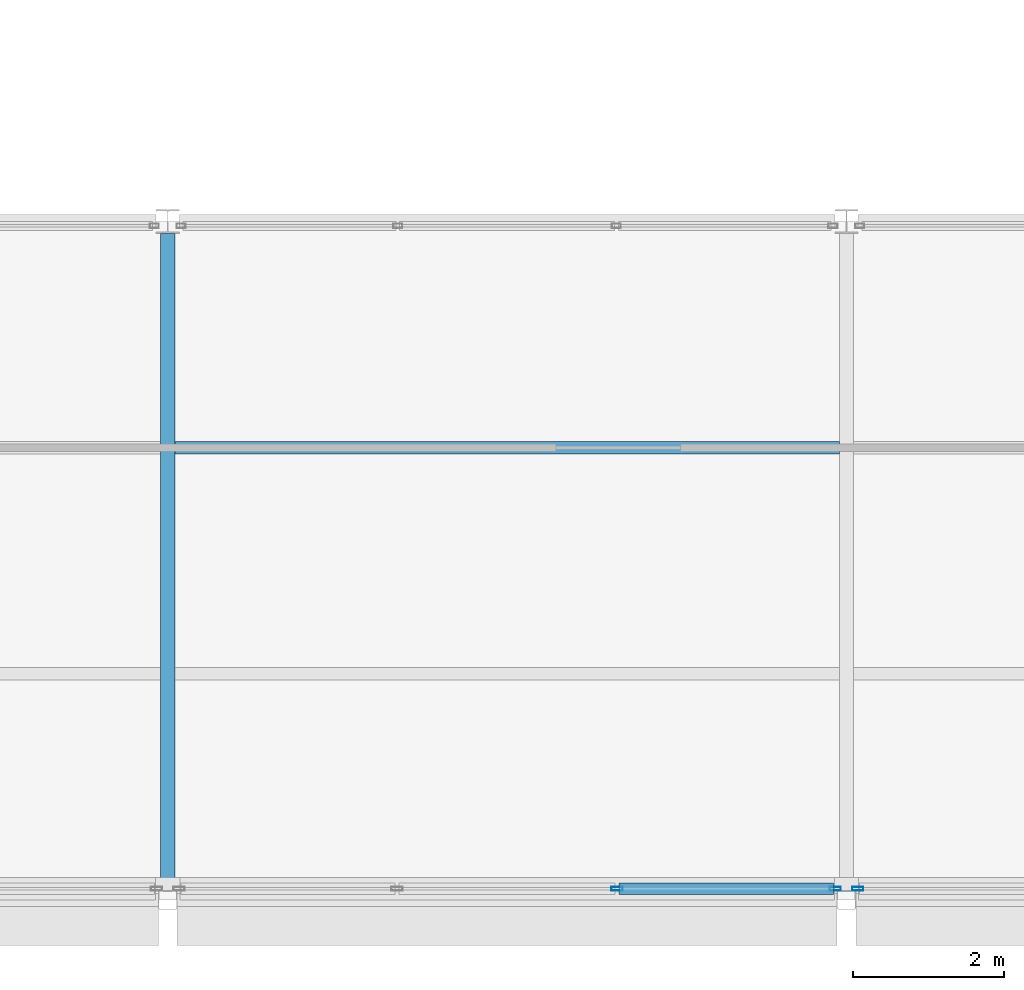
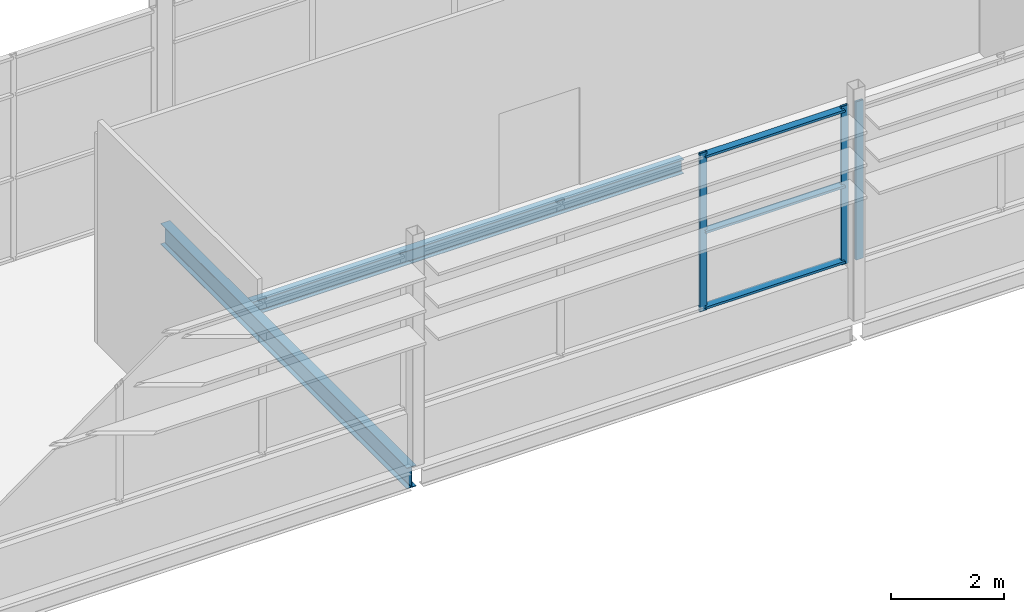
# One storey, part 13 of 61: 6 members, 2 beams, 2 elements without a shape of their own.
"""IFC4 building model written with IfcOpenShell, lengths in metres."""

from ifc_helpers import new_model, si_unit, direction, frame, origin, origin_2d, place, context, subcontext, project, spatial, hollow_rectangle, i_section, extrude, material, layer, layer_set, material_profile, profile_set, type_object, element, aggregate, save


model = new_model("IFC4")

# Units and contexts
model_context = context("Model", 3, precision=1e-05, world=origin(), true_north=direction((0.0, 1.0)))
body_context = subcontext(model_context, "Body", "Model", "MODEL_VIEW")
ifc_project = project(units=[si_unit("LENGTHUNIT", "METRE"), si_unit("AREAUNIT", "SQUARE_METRE"), si_unit("VOLUMEUNIT", "CUBIC_METRE"), si_unit("PLANEANGLEUNIT", "RADIAN"), si_unit("MASSUNIT", "GRAM", prefix="KILO")], contexts=[model_context])

# Site, building, storey
site_placement = place(None, origin())
site = spatial("IfcSite", under=ifc_project, at=site_placement, CompositionType="ELEMENT")
building_placement = place(site_placement, origin())
building = spatial("IfcBuilding", under=site, at=building_placement, Name="Shorebreak Coast Museum", CompositionType="ELEMENT")
storey_placement = place(building_placement, frame((0.0, 0.0, 26.0)))
storey = spatial("IfcBuildingStorey", under=building, at=storey_placement, Name="L04", CompositionType="ELEMENT", Elevation=26.0)

# Beams
ifc_material_1 = material(Name="Steel Grade 300", Category="steel")
ifc_material_profile_1 = material_profile(ifc_material_1, i_section(OverallWidth=0.18994140625, OverallDepth=0.453857421875, WebThickness=0.008544921875, FlangeThickness=0.0126953125, FilletRadius=0.011474609375, at=origin_2d()), Name="460UB67.1")
ifc_profile_set_1 = profile_set([ifc_material_profile_1], Name="Steel Grade 300")
beam_type_1 = type_object("IfcBeamType", Name="Floor girder north-south 460UB67.1", PredefinedType="BEAM", material=ifc_profile_set_1)
beam_1_placement = place(storey_placement, frame((72.0, 54.125, -0.40185546875), z_axis=(0.0, 1.0, 0.0), x_axis=(-1.0, 0.0, 0.0)))
element("IfcBeam", 1, at=beam_1_placement, inside=storey, type_object=beam_type_1, Name="Floor girder north-south L04 9G", PredefinedType="BEAM", context=body_context, shape_type="SweptSolid", body=[
    extrude(i_section(OverallWidth=0.18994140625, OverallDepth=0.453857421875, WebThickness=0.008544921875, FlangeThickness=0.0126953125, FilletRadius=0.011474609375, at=origin_2d()), origin(), (0.0, 0.0, 1.0), 8.714599609375),
])
ifc_material_2 = material(Name="Steel Grade 300", Category="steel")
ifc_material_profile_2 = material_profile(ifc_material_2, i_section(OverallWidth=0.1650390625, OverallDepth=0.303955078125, WebThickness=0.006103515625, FlangeThickness=0.01025390625, FilletRadius=0.011474609375, at=origin_2d()), Name="310UB40.4")
ifc_profile_set_2 = profile_set([ifc_material_profile_2], Name="Steel Grade 300")
beam_type_2 = type_object("IfcBeamType", Name="Floor joist 310UB40.4", PredefinedType="JOIST", material=ifc_profile_set_2)
beam_2_placement = place(storey_placement, frame((72.094970703125, 60.0, -0.326904296875), z_axis=(1.0, 0.0, 0.0), x_axis=(0.0, 1.0, 0.0)))
element("IfcBeam", 2, at=beam_2_placement, inside=storey, type_object=beam_type_2, Name="Floor joist L04 bay 9G at 6000 mm", PredefinedType="JOIST", context=body_context, shape_type="SweptSolid", body=[
    extrude(i_section(OverallWidth=0.1650390625, OverallDepth=0.303955078125, WebThickness=0.006103515625, FlangeThickness=0.01025390625, FilletRadius=0.011474609375, at=origin_2d()), origin(), (0.0, 0.0, 1.0), 8.81005859375),
])

# Curtain wall, members
ifc_material_3 = material(Name="Aluminium", Category="aluminium")
ifc_layer = layer(ifc_material_3, 0.14990234375)
ifc_layer_set = layer_set([ifc_layer], Name="Aluminium")
curtain_wall_type = type_object("IfcCurtainWallType", Name="Storefront curtain wall", PredefinedType="NOTDEFINED", material=ifc_layer_set)
curtain_wall_1_placement = place(storey_placement, origin())
curtain_wall_1 = element("IfcCurtainWall", 3, at=curtain_wall_1_placement, inside=storey, type_object=curtain_wall_type, Name="Atrium Hall glazing L04 S 5", PredefinedType="NOTDEFINED")
ifc_material_4 = material(Name="Aluminium", Category="aluminium")
ifc_material_profile_3 = material_profile(ifc_material_4, hollow_rectangle(XDim=0.050048828125, YDim=0.14990234375, WallThickness=0.00390625, at=origin_2d()), Name="AL 150x50 RHS")
ifc_profile_set_3 = profile_set([ifc_material_profile_3], Name="Aluminium")
member_type_1 = type_object("IfcMemberType", Name="Storefront mullion 50 x 150", PredefinedType="MULLION", material=ifc_profile_set_3)
member_1_placement = place(storey_placement, frame((77.958251953125, 54.14990234375, 1.10009765625), z_axis=(0.0, 0.0, 1.0), x_axis=(0.0, 1.0, 0.0)))
member_1 = element("IfcMember", 4, at=member_1_placement, type_object=member_type_1, Name="CW5 mullion 3", PredefinedType="MULLION", context=body_context, shape_type="SweptSolid", body=[
    extrude(hollow_rectangle(XDim=0.050048828125, YDim=0.14990234375, WallThickness=0.00390625, at=origin_2d()), origin(), (0.0, 0.0, 1.0), 3.417724609375),
])
member_2_placement = place(storey_placement, frame((80.85009765625, 54.14990234375, 1.10009765625), z_axis=(0.0, 0.0, 1.0), x_axis=(0.0, 1.0, 0.0)))
member_2 = element("IfcMember", 5, at=member_2_placement, type_object=member_type_1, Name="CW5 mullion 4", PredefinedType="MULLION", context=body_context, shape_type="SweptSolid", body=[
    extrude(hollow_rectangle(XDim=0.050048828125, YDim=0.14990234375, WallThickness=0.00390625, at=origin_2d()), origin(), (0.0, 0.0, 1.0), 3.417724609375),
])

# Curtain wall, member
curtain_wall_2_placement = place(storey_placement, origin())
curtain_wall_2 = element("IfcCurtainWall", 6, at=curtain_wall_2_placement, inside=storey, type_object=curtain_wall_type, Name="Atrium Hall glazing L04 S 6", PredefinedType="NOTDEFINED")
member_3_placement = place(storey_placement, frame((81.14990234375, 54.14990234375, 1.10009765625), z_axis=(0.0, 0.0, 1.0), x_axis=(0.0, 1.0, 0.0)))
member_3 = element("IfcMember", 7, at=member_3_placement, type_object=member_type_1, Name="CW5 mullion 1", PredefinedType="MULLION", context=body_context, shape_type="SweptSolid", body=[
    extrude(hollow_rectangle(XDim=0.050048828125, YDim=0.14990234375, WallThickness=0.00390625, at=origin_2d()), origin(), (0.0, 0.0, 1.0), 3.417724609375),
])
aggregate(curtain_wall_2, [member_3])

# Member
ifc_material_5 = material(Name="Aluminium", Category="aluminium")
ifc_material_profile_4 = material_profile(ifc_material_5, hollow_rectangle(XDim=0.14990234375, YDim=0.050048828125, WallThickness=0.00390625, at=origin_2d()), Name="AL 50x150 RHS")
ifc_profile_set_4 = profile_set([ifc_material_profile_4], Name="Aluminium")
member_type_2 = type_object("IfcMemberType", Name="Storefront transom 150 x 50", PredefinedType="USERDEFINED", material=ifc_profile_set_4)
member_4_placement = place(storey_placement, frame((77.9833984375, 54.14990234375, 1.175048828125), z_axis=(1.0, 0.0, 0.0), x_axis=(0.0, 1.0, 0.0)))
member_4 = element("IfcMember", 8, at=member_4_placement, type_object=member_type_2, Name="CW5 transom 3.1", ObjectType="TRANSOM", PredefinedType="USERDEFINED", context=body_context, shape_type="SweptSolid", body=[
    extrude(hollow_rectangle(XDim=0.14990234375, YDim=0.050048828125, WallThickness=0.00390625, at=origin_2d()), origin(), (0.0, 0.0, 1.0), 2.841552734375),
])

member_5_placement = place(storey_placement, frame((77.9833984375, 54.14990234375, 2.808837890625), z_axis=(1.0, 0.0, 0.0), x_axis=(0.0, 1.0, 0.0)))
member_5 = element("IfcMember", 9, at=member_5_placement, type_object=member_type_2, Name="CW5 transom 3.2", ObjectType="TRANSOM", PredefinedType="USERDEFINED", context=body_context, shape_type="SweptSolid", body=[
    extrude(hollow_rectangle(XDim=0.14990234375, YDim=0.050048828125, WallThickness=0.00390625, at=origin_2d()), origin(), (0.0, 0.0, 1.0), 2.841552734375),
])

member_6_placement = place(storey_placement, frame((77.9833984375, 54.14990234375, 4.44287109375), z_axis=(1.0, 0.0, 0.0), x_axis=(0.0, 1.0, 0.0)))
member_6 = element("IfcMember", 10, at=member_6_placement, type_object=member_type_2, Name="CW5 transom 3.3", ObjectType="TRANSOM", PredefinedType="USERDEFINED", context=body_context, shape_type="SweptSolid", body=[
    extrude(hollow_rectangle(XDim=0.14990234375, YDim=0.050048828125, WallThickness=0.00390625, at=origin_2d()), origin(), (0.0, 0.0, 1.0), 2.841552734375),
])

aggregate(curtain_wall_1, [member_1, member_2, member_4, member_5, member_6])

save(model, "model.ifc")
